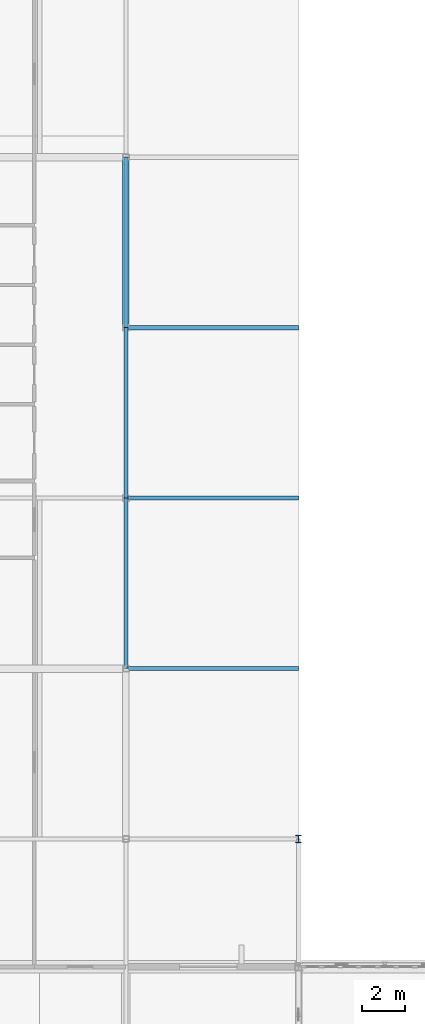
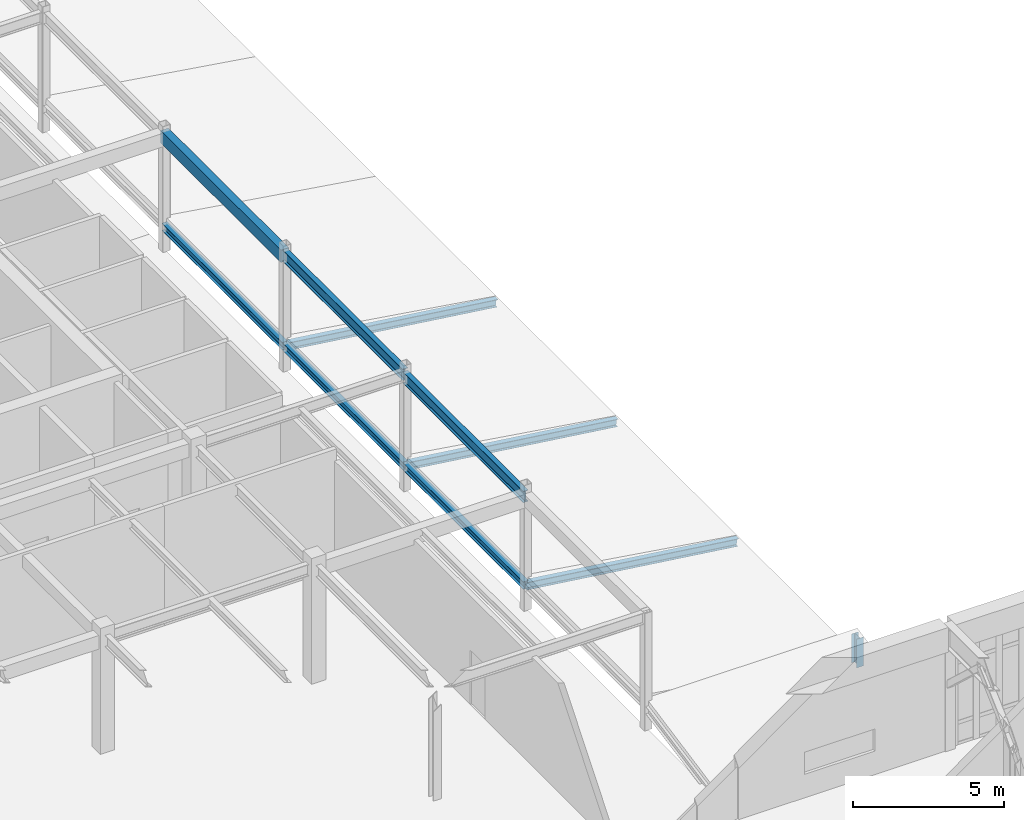
# One storey, part 20 of 70: 6 beams, 4 members.
"""IFC4 building model written with IfcOpenShell, lengths in metres."""

import ifcopenshell
import ifcopenshell.guid

model = None  # the IFC model being written
_history = None  # IfcOwnerHistory: only IFC2X3 demands one
_inside = {}  # id of a spatial element -> (the spatial element, [elements in it])
_under = {}  # id of a project, library or spatial element -> (it, [spatial elements below it])
_declared = {}  # id of a project -> (the project, [libraries it declares])
_typed = {}  # id of a type object -> (the type object, [elements of that type])
_made_of = {}  # id of a material, layer set ... -> (it, [elements and type objects made of it])


def new_model(schema):
    """Start an empty IFC model of exactly this schema.

    Asked for "IFC4X3", IfcOpenShell would pick the latest addendum, in which some entities
    have other attributes; the version numbers below select the first issue.
    IFC2X3 requires an IfcOwnerHistory on every rooted entity: one is made here for all.
    """
    global model, _history
    if schema == "IFC4X3":
        model = ifcopenshell.file(schema_version=(4, 3, 0, 0))
    else:
        model = ifcopenshell.file(schema=schema)
    _inside.clear()
    _under.clear()
    _declared.clear()
    _typed.clear()
    _made_of.clear()
    _history = None
    if model.schema == "IFC2X3":
        org = make("IfcOrganization", Name="unknown")
        user = make(
            "IfcPersonAndOrganization",
            ThePerson=make("IfcPerson", FamilyName="unknown"),
            TheOrganization=org,
        )
        app = make(
            "IfcApplication",
            ApplicationDeveloper=org,
            Version="unknown",
            ApplicationFullName="unknown",
            ApplicationIdentifier="unknown",
        )
        _history = make(
            "IfcOwnerHistory",
            OwningUser=user,
            OwningApplication=app,
            ChangeAction="ADDED",
            CreationDate=0,
        )
    return model


def make(cls, **values):
    """One entity of the class cls with the attributes given. An attribute that is None is left unset."""
    return model.create_entity(
        cls, **{name: value for name, value in values.items() if value is not None}
    )


def rooted(cls, **values):
    """An entity with a GlobalId (a new one), such as an element, a storey or a relation."""
    return make(cls, GlobalId=ifcopenshell.guid.new(), OwnerHistory=_history, **values)


def si_unit(unit_type, name, prefix=None):
    """IfcSIUnit, for example si_unit("LENGTHUNIT", "METRE", prefix="MILLI")."""
    return make("IfcSIUnit", UnitType=unit_type, Prefix=prefix, Name=name)


def assignment(units):
    """IfcUnitAssignment: the units of a project."""
    return None if units is None else make("IfcUnitAssignment", Units=units)


def point(xyz):
    """IfcCartesianPoint."""
    return None if xyz is None else make("IfcCartesianPoint", Coordinates=xyz)


def direction(xyz):
    """IfcDirection."""
    return None if xyz is None else make("IfcDirection", DirectionRatios=xyz)


def frame(location, z_axis=None, x_axis=None):
    """IfcAxis2Placement3D, a coordinate frame: its origin and axes. An axis left out is left unset."""
    return make(
        "IfcAxis2Placement3D",
        Location=point(location),
        Axis=direction(z_axis),
        RefDirection=direction(x_axis),
    )


def frame_2d(location, x_axis=None):
    """IfcAxis2Placement2D, a coordinate frame in the plane: its origin and x axis."""
    return make(
        "IfcAxis2Placement2D", Location=point(location), RefDirection=direction(x_axis)
    )


def origin():
    """The frame at (0, 0, 0) with its axes left unset."""
    return frame((0.0, 0.0, 0.0))


def origin_2d():
    """The frame at (0, 0) in the plane with its x axis left unset."""
    return frame_2d((0.0, 0.0))


def place(relative_to, where):
    """IfcLocalPlacement: puts the frame where relative to a parent placement (None: the world)."""
    return make(
        "IfcLocalPlacement", PlacementRelTo=relative_to, RelativePlacement=where
    )


def context(
    kind, dimensions, precision=None, world=None, true_north=None, identifier=None
):
    """IfcGeometricRepresentationContext, for example the 3D "Model" context."""
    return make(
        "IfcGeometricRepresentationContext",
        ContextIdentifier=identifier,
        ContextType=kind,
        CoordinateSpaceDimension=dimensions,
        Precision=precision,
        WorldCoordinateSystem=world,
        TrueNorth=true_north,
    )


def subcontext(parent, identifier, kind, view, scale=None):
    """IfcGeometricRepresentationSubContext, for example "Body" below "Model"."""
    return make(
        "IfcGeometricRepresentationSubContext",
        ContextIdentifier=identifier,
        ContextType=kind,
        ParentContext=parent,
        TargetScale=scale,
        TargetView=view,
    )


def project(units=None, contexts=None):
    """IfcProject with its units and contexts."""
    return rooted(
        "IfcProject",
        Name="project",
        RepresentationContexts=contexts,
        UnitsInContext=assignment(units),
    )


def spatial(cls, under=None, at=None, **own):
    """A site, building, storey or space (cls), placed at a placement, below another one or the project."""
    s = rooted(cls, ObjectPlacement=at, **own)
    if under is not None:
        _under.setdefault(under.id(), (under, []))[1].append(s)
    return s


def profile(cls, at=None, kind="AREA", **sizes):
    """A parametric profile (cls). Its sizes go by their IFC names, for example OverallWidth=200.0."""
    return make(cls, ProfileType=kind, Position=at, **sizes)


def rectangle(**sizes):
    """IfcRectangleProfileDef."""
    return profile("IfcRectangleProfileDef", **sizes)


def i_section(**sizes):
    """IfcIShapeProfileDef."""
    return profile("IfcIShapeProfileDef", **sizes)


def extrude(swept, where, along, depth):
    """IfcExtrudedAreaSolid: the profile swept, set in the frame where, extruded along a direction by depth."""
    return make(
        "IfcExtrudedAreaSolid",
        SweptArea=swept,
        Position=where,
        ExtrudedDirection=direction(along),
        Depth=depth,
    )


def shape(context_of_items, identifier, shape_type, items):
    """IfcShapeRepresentation: the items that make up one representation, for example the "Body"."""
    return make(
        "IfcShapeRepresentation",
        ContextOfItems=context_of_items,
        RepresentationIdentifier=identifier,
        RepresentationType=shape_type,
        Items=items,
    )


def material(Name=None, Category=None):
    """IfcMaterial."""
    return make("IfcMaterial", Name=Name, Category=Category)


def material_profile(
    of_material, cross_section, Name=None, Category=None, Priority=None
):
    """IfcMaterialProfile: a cross section and its material."""
    return make(
        "IfcMaterialProfile",
        Name=Name,
        Material=of_material,
        Profile=cross_section,
        Priority=Priority,
        Category=Category,
    )


def profile_set(profiles, Name=None, composite=None):
    """IfcMaterialProfileSet."""
    return make(
        "IfcMaterialProfileSet",
        Name=Name,
        MaterialProfiles=profiles,
        CompositeProfile=composite,
    )


def made_of(thing, what):
    """Note that an element or type object is made of a material, layer set ...; save() writes the relation."""
    if what is not None:
        _made_of.setdefault(what.id(), (what, []))[1].append(thing)
    return thing


def type_object(cls, material=None, **own):
    """A type object (cls), such as IfcWallType, which elements share."""
    return made_of(rooted(cls, **own), material)


def element(
    cls,
    number,
    at=None,
    inside=None,
    cuts=None,
    type_object=None,
    material=None,
    context=None,
    identifier="Body",
    shape_type=None,
    held_by="IfcProductDefinitionShape",
    body=None,
    shapes=None,
    **own,
):
    """One element of the class cls, such as IfcWall. Its Tag is "e" and its number.

    at: its placement. inside: the storey or other place that contains it. cuts: it is an
    opening in that element (IfcRelVoidsElement). A single representation is given by context,
    identifier, shape_type and body (its items); several are given by shapes. held_by: the class
    of the entity that holds the representations. save() writes the other relations.
    """
    e = rooted(cls, Tag="e%d" % number, ObjectPlacement=at, **own)
    if body is not None:
        shapes = [shape(context, identifier, shape_type, body)]
    if shapes is not None:
        e.Representation = make(held_by, Representations=shapes)
    if inside is not None:
        _inside.setdefault(inside.id(), (inside, []))[1].append(e)
    if cuts is not None:
        rooted(
            "IfcRelVoidsElement", RelatingBuildingElement=cuts, RelatedOpeningElement=e
        )
    if type_object is not None:
        _typed.setdefault(type_object.id(), (type_object, []))[1].append(e)
    return made_of(e, material)


def aggregate(whole, parts):
    """IfcRelAggregates: a whole, such as a stair, and the parts it consists of."""
    return rooted("IfcRelAggregates", RelatingObject=whole, RelatedObjects=parts)


def save(model, path):
    """Write the relations noted so far, then the file.

    IfcRelAggregates (storeys below a building ...), IfcRelContainedInSpatialStructure (elements
    in a storey), IfcRelDefinesByType, IfcRelAssociatesMaterial and IfcRelDeclares: one each for
    every whole, place, type object, material and project.
    """
    for whole, parts in _under.values():
        aggregate(whole, parts)
    for where, things in _inside.values():
        rooted(
            "IfcRelContainedInSpatialStructure",
            RelatedElements=things,
            RelatingStructure=where,
        )
    for kind, things in _typed.values():
        rooted("IfcRelDefinesByType", RelatedObjects=things, RelatingType=kind)
    for what, things in _made_of.values():
        rooted("IfcRelAssociatesMaterial", RelatedObjects=things, RelatingMaterial=what)
    for by, libraries in _declared.values():
        rooted("IfcRelDeclares", RelatingContext=by, RelatedDefinitions=libraries)
    model.write(path)


model = new_model("IFC4")

# Units and contexts
model_context = context("Model", 3, precision=1e-05, world=origin(), true_north=direction((0.0, 1.0)))
body_context = subcontext(model_context, "Body", "Model", "MODEL_VIEW")
ifc_project = project(units=[si_unit("LENGTHUNIT", "METRE"), si_unit("AREAUNIT", "SQUARE_METRE"), si_unit("VOLUMEUNIT", "CUBIC_METRE"), si_unit("PLANEANGLEUNIT", "RADIAN"), si_unit("MASSUNIT", "GRAM", prefix="KILO")], contexts=[model_context])

# Site, building, storey
site_placement = place(None, origin())
site = spatial("IfcSite", under=ifc_project, at=site_placement, CompositionType="ELEMENT")
building_placement = place(site_placement, origin())
building = spatial("IfcBuilding", under=site, at=building_placement, Name="Tarnveldt Square Police Headquarters", CompositionType="ELEMENT")
storey_placement = place(building_placement, frame((0.0, 0.0, 19.800048828125)))
storey = spatial("IfcBuildingStorey", under=building, at=storey_placement, Name="L04", CompositionType="ELEMENT", Elevation=19.800048828125)

# Beams
ifc_material_1 = material(Name="Concrete 40 MPa", Category="concrete")
ifc_material_profile_1 = material_profile(ifc_material_1, rectangle(XDim=0.300048828125, YDim=0.5, at=origin_2d()), Name="RC-B300x500")
ifc_profile_set_1 = profile_set([ifc_material_profile_1], Name="Concrete 40 MPa")
beam_type_1 = type_object("IfcBeamType", Name="BM-RC300x500", PredefinedType="BEAM", material=ifc_profile_set_1)
beam_placement = place(storey_placement, frame((40.5, 64.0, 4.60986328125), z_axis=(0.0, 1.0, 0.0), x_axis=(-1.0, 0.0, 0.0)))
element("IfcBeam", 1, at=beam_placement, inside=storey, type_object=beam_type_1, Name="L05 Grid Girder Y-0991", PredefinedType="BEAM", context=body_context, shape_type="SweptSolid", body=[
    extrude(rectangle(XDim=0.300048828125, YDim=0.5, at=origin_2d()), origin(), (0.0, 0.0, 1.0), 8.0),
])
ifc_material_2 = material(Name="Steel 350W", Category="steel")
ifc_material_profile_2 = material_profile(ifc_material_2, i_section(OverallWidth=0.202880859375, OverallDepth=0.302978515625, WebThickness=0.007568359375, FlangeThickness=0.01318359375, FilletRadius=0.014892578125, at=origin_2d()), Name="W310x60")
ifc_profile_set_2 = profile_set([ifc_material_profile_2], Name="Steel 350W")
beam_type_2 = type_object("IfcBeamType", Name="BM-W310x60", PredefinedType="JOIST", material=ifc_profile_set_2)
for number, where, z_axis, x_axis, name in (
    (2, (40.5, 48.0, 0.93994140625), (0.0, 1.0, 0.0), (-1.0, 0.0, 0.0), "Winter-Garden High-Eave Beam 2"),
    (3, (40.5, 56.0, 0.93994140625), (0.0, 1.0, 0.0), (-1.0, 0.0, 0.0), "Winter-Garden High-Eave Beam 3"),
    (4, (40.5, 64.0, 0.93994140625), (0.0, 1.0, 0.0), (-1.0, 0.0, 0.0), "Winter-Garden High-Eave Beam 4"),
):
    element("IfcBeam", number, at=place(storey_placement, frame(where, z_axis=z_axis, x_axis=x_axis)), inside=storey, type_object=beam_type_2, Name=name, PredefinedType="JOIST", context=body_context, shape_type="SweptSolid", body=[
        extrude(i_section(OverallWidth=0.202880859375, OverallDepth=0.302978515625, WebThickness=0.007568359375, FlangeThickness=0.01318359375, FilletRadius=0.014892578125, at=origin_2d()), origin(), (0.0, 0.0, 1.0), 8.0),
    ])
ifc_material_profile_3 = material_profile(ifc_material_2, i_section(OverallWidth=0.19189453125, OverallDepth=0.462890625, WebThickness=0.010498046875, FlangeThickness=0.017578125, FilletRadius=0.01806640625, at=origin_2d()), Name="W460x89")
ifc_profile_set_3 = profile_set([ifc_material_profile_3], Name="Steel 350W")
beam_type_3 = type_object("IfcBeamType", Name="BM-W460x89", PredefinedType="BEAM", material=ifc_profile_set_3)
for number, where, z_axis, x_axis, name in (
    (5, (40.5, 48.0, 4.528564453125), (0.0, 1.0, 0.0), (-1.0, 0.0, 0.0), "L05 Grid Girder Y-0989"),
    (6, (40.5, 56.0, 4.62841796875), (0.0, 1.0, 0.0), (-1.0, 0.0, 0.0), "L05 Grid Girder Y-0990"),
):
    element("IfcBeam", number, at=place(storey_placement, frame(where, z_axis=z_axis, x_axis=x_axis)), inside=storey, type_object=beam_type_3, Name=name, PredefinedType="BEAM", context=body_context, shape_type="SweptSolid", body=[
        extrude(i_section(OverallWidth=0.19189453125, OverallDepth=0.462890625, WebThickness=0.010498046875, FlangeThickness=0.017578125, FilletRadius=0.01806640625, at=origin_2d()), origin(), (0.0, 0.0, 1.0), 8.0),
    ])

# Members
ifc_material_profile_4 = material_profile(ifc_material_2, i_section(OverallWidth=0.257080078125, OverallDepth=0.363037109375, WebThickness=0.012939453125, FlangeThickness=0.021728515625, FilletRadius=0.01611328125, at=origin_2d()), Name="W360x122")
ifc_profile_set_4 = profile_set([ifc_material_profile_4], Name="Steel 350W")
member_type_1 = type_object("IfcMemberType", Name="MEM-CT-POST", PredefinedType="STRUT", material=ifc_profile_set_4)
member_placement = place(storey_placement, frame((48.60009765625, 40.0, -0.260009765625), z_axis=(0.0, 0.0, 1.0), x_axis=(1.0, 0.0, 0.0)))
element("IfcMember", 7, at=member_placement, inside=storey, type_object=member_type_1, Name="Winter-Garden Corner Roof Strut", PredefinedType="STRUT", context=body_context, shape_type="SweptSolid", body=[
    extrude(i_section(OverallWidth=0.257080078125, OverallDepth=0.363037109375, WebThickness=0.012939453125, FlangeThickness=0.021728515625, FilletRadius=0.01611328125, at=origin_2d()), origin(), (0.0, 0.0, 1.0), 1.159912109375),
])
ifc_material_profile_5 = material_profile(ifc_material_2, i_section(OverallWidth=0.202880859375, OverallDepth=0.302978515625, WebThickness=0.007568359375, FlangeThickness=0.01318359375, FilletRadius=0.014892578125, at=origin_2d()), Name="W310x60")
ifc_profile_set_5 = profile_set([ifc_material_profile_5], Name="Steel 350W")
member_type_2 = type_object("IfcMemberType", Name="MEM-L07-RAF", PredefinedType="RAFTER", material=ifc_profile_set_5)
for number, where, z_axis, x_axis, name in (
    (8, (40.5, 48.0, 0.93994140625), (0.991544993186, 0.0, -0.129763348014), (0.0, 1.0, 0.0), "Winter-Garden Roof Rafter 2"),
    (9, (40.5, 56.0, 0.93994140625), (0.991544993186, 0.0, -0.129763348014), (0.0, 1.0, 0.0), "Winter-Garden Roof Rafter 3"),
    (10, (40.5, 64.0, 0.93994140625), (0.991544993186, 0.0, -0.129763348014), (0.0, 1.0, 0.0), "Winter-Garden Roof Rafter 4"),
):
    element("IfcMember", number, at=place(storey_placement, frame(where, z_axis=z_axis, x_axis=x_axis)), inside=storey, type_object=member_type_2, Name=name, PredefinedType="RAFTER", context=body_context, shape_type="SweptSolid", body=[
        extrude(i_section(OverallWidth=0.202880859375, OverallDepth=0.302978515625, WebThickness=0.007568359375, FlangeThickness=0.01318359375, FilletRadius=0.014892578125, at=origin_2d()), origin(), (0.0, 0.0, 1.0), 8.169189453125),
    ])

save(model, "model.ifc")
